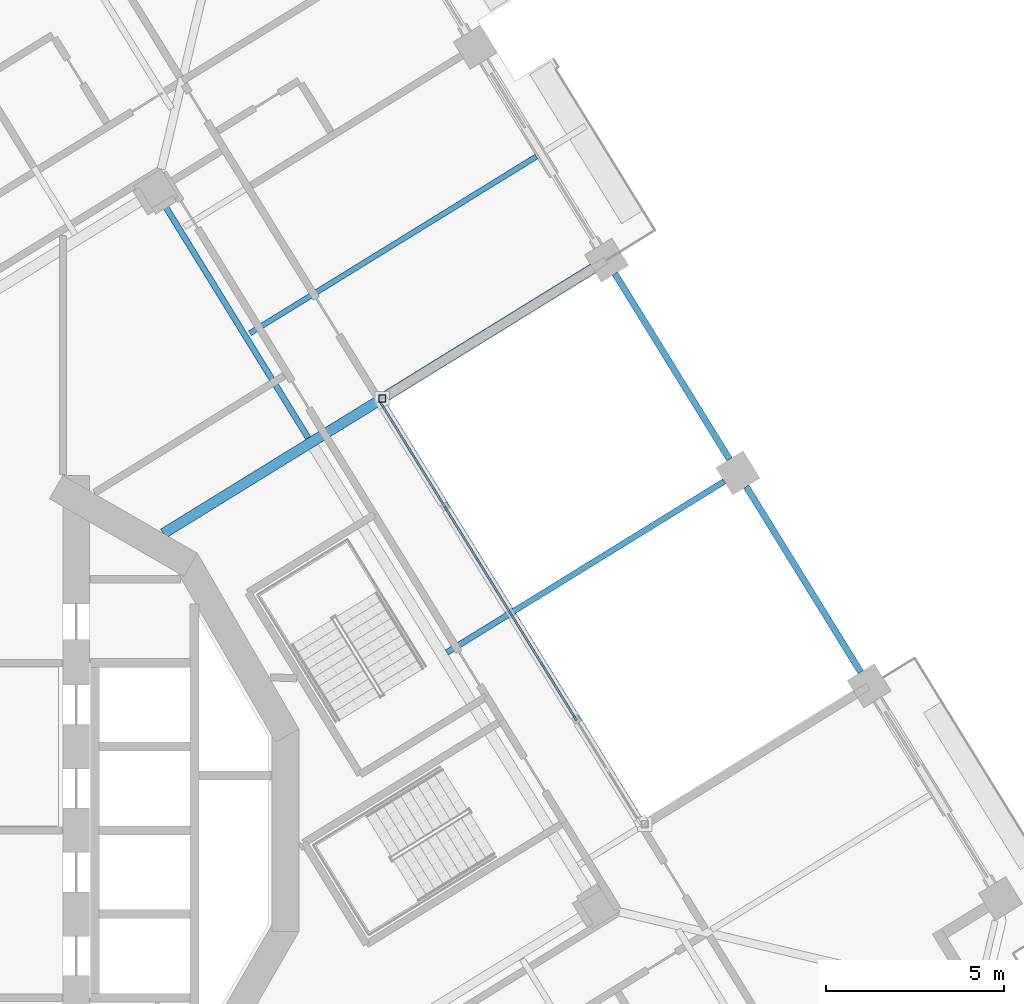
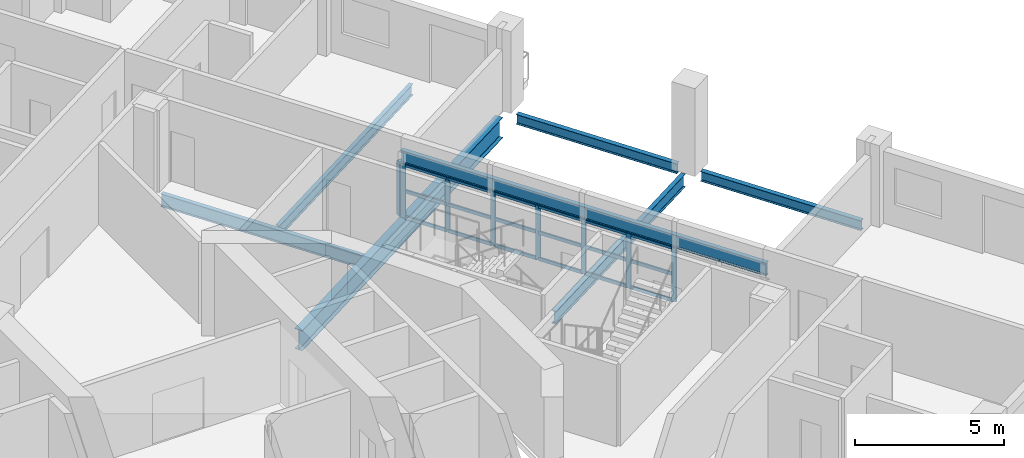
# One storey, part 4 of 21: 26 members, 7 beams, 1 element without a shape of its own.
"""IFC4 building model written with IfcOpenShell, lengths in metres."""

from ifc_helpers import new_model, si_unit, direction, frame, origin, origin_2d, place, context, subcontext, project, spatial, rectangle, hollow_rectangle, i_section, extrude, material, material_profile, profile_set, type_object, element, aggregate, save


model = new_model("IFC4")

# Units and contexts
model_context = context("Model", 3, precision=1e-05, world=origin(), true_north=direction((0.0, 1.0)))
body_context = subcontext(model_context, "Body", "Model", "MODEL_VIEW")
ifc_project = project(units=[si_unit("LENGTHUNIT", "METRE"), si_unit("AREAUNIT", "SQUARE_METRE"), si_unit("VOLUMEUNIT", "CUBIC_METRE"), si_unit("PLANEANGLEUNIT", "RADIAN"), si_unit("MASSUNIT", "GRAM", prefix="KILO")], contexts=[model_context])

# Site, building, storey
site_placement = place(None, origin())
site = spatial("IfcSite", under=ifc_project, at=site_placement, CompositionType="ELEMENT")
building_placement = place(site_placement, origin())
building = spatial("IfcBuilding", under=site, at=building_placement, Name="Cantera Rosa Tower", CompositionType="ELEMENT")
storey_placement = place(building_placement, frame((0.0, 0.0, 185.60009765625)))
storey = spatial("IfcBuildingStorey", under=building, at=storey_placement, Name="L41", CompositionType="ELEMENT", Elevation=185.60009765625)

# Curtain wall, members
ifc_material_1 = material(Name="Aluminium frame with clear glass", Category="aluminium")
curtain_wall_type = type_object("IfcCurtainWallType", Name="CW1 TERRACE POCKET GLAZING", PredefinedType="NOTDEFINED", material=ifc_material_1)
curtain_wall_placement = place(storey_placement, origin())
curtain_wall = element("IfcCurtainWall", 1, at=curtain_wall_placement, inside=storey, type_object=curtain_wall_type, Name="CW1 CW1", PredefinedType="NOTDEFINED")
ifc_material_2 = material(Name="Anodised bronze aluminium", Category="aluminium")
ifc_material_profile_1 = material_profile(ifc_material_2, rectangle(XDim=0.06005859375, YDim=0.179931640625, at=origin_2d()), Name="CW-MULLION 60x180 POCKET")
ifc_profile_set_1 = profile_set([ifc_material_profile_1], Name="Anodised bronze aluminium")
member_type_1 = type_object("IfcMemberType", Name="CW-MULLION 60x180 POCKET", PredefinedType="MULLION", material=ifc_profile_set_1)
member_1_placement = place(storey_placement, frame((18.376953125, 3.160400390625, 0.0), z_axis=(0.0, 0.0, 1.0), x_axis=(-0.851116672434, -0.52497658034, 0.0)))
member_1 = element("IfcMember", 2, at=member_1_placement, type_object=member_type_1, Name="CW1 mullion 3", PredefinedType="MULLION", context=body_context, shape_type="SweptSolid", body=[
    extrude(rectangle(XDim=0.06005859375, YDim=0.179931640625, at=origin_2d()), origin(), (0.0, 0.0, 1.0), 2.2119140625),
])
member_2_placement = place(storey_placement, frame((17.471923828125, 4.62744140625, 0.0), z_axis=(0.0, 0.0, 1.0), x_axis=(-0.851116672434, -0.52497658034, 0.0)))
member_2 = element("IfcMember", 3, at=member_2_placement, type_object=member_type_1, Name="CW1 mullion 4", PredefinedType="MULLION", context=body_context, shape_type="SweptSolid", body=[
    extrude(rectangle(XDim=0.06005859375, YDim=0.179931640625, at=origin_2d()), origin(), (0.0, 0.0, 1.0), 2.2119140625),
])
member_3_placement = place(storey_placement, frame((16.56689453125, 6.0947265625, 0.0), z_axis=(0.0, 0.0, 1.0), x_axis=(-0.851116672434, -0.52497658034, 0.0)))
member_3 = element("IfcMember", 4, at=member_3_placement, type_object=member_type_1, Name="CW1 mullion 5", PredefinedType="MULLION", context=body_context, shape_type="SweptSolid", body=[
    extrude(rectangle(XDim=0.06005859375, YDim=0.179931640625, at=origin_2d()), origin(), (0.0, 0.0, 1.0), 2.2119140625),
])
member_4_placement = place(storey_placement, frame((15.662109375, 7.561767578125, 0.0), z_axis=(0.0, 0.0, 1.0), x_axis=(-0.851116672434, -0.52497658034, 0.0)))
member_4 = element("IfcMember", 5, at=member_4_placement, type_object=member_type_1, Name="CW1 mullion 6", PredefinedType="MULLION", context=body_context, shape_type="SweptSolid", body=[
    extrude(rectangle(XDim=0.06005859375, YDim=0.179931640625, at=origin_2d()), origin(), (0.0, 0.0, 1.0), 2.2119140625),
])
member_5_placement = place(storey_placement, frame((14.757080078125, 9.02880859375, 0.0), z_axis=(0.0, 0.0, 1.0), x_axis=(-0.851116672434, -0.52497658034, 0.0)))
member_5 = element("IfcMember", 6, at=member_5_placement, type_object=member_type_1, Name="CW1 mullion 7", PredefinedType="MULLION", context=body_context, shape_type="SweptSolid", body=[
    extrude(rectangle(XDim=0.06005859375, YDim=0.179931640625, at=origin_2d()), origin(), (0.0, 0.0, 1.0), 2.2119140625),
])
member_6_placement = place(storey_placement, frame((13.852294921875, 10.49609375, 0.0), z_axis=(0.0, 0.0, 1.0), x_axis=(-0.851116672434, -0.52497658034, 0.0)))
member_6 = element("IfcMember", 7, at=member_6_placement, type_object=member_type_1, Name="CW1 mullion 8", PredefinedType="MULLION", context=body_context, shape_type="SweptSolid", body=[
    extrude(rectangle(XDim=0.06005859375, YDim=0.179931640625, at=origin_2d()), origin(), (0.0, 0.0, 1.0), 2.2119140625),
])
member_7_placement = place(storey_placement, frame((12.963134765625, 11.9375, 0.0), z_axis=(0.0, 0.0, 1.0), x_axis=(-0.851116672434, -0.52497658034, 0.0)))
member_7 = element("IfcMember", 8, at=member_7_placement, type_object=member_type_1, Name="CW1 mullion 9", PredefinedType="MULLION", context=body_context, shape_type="SweptSolid", body=[
    extrude(rectangle(XDim=0.06005859375, YDim=0.179931640625, at=origin_2d()), origin(), (0.0, 0.0, 1.0), 2.2119140625),
])
ifc_material_3 = material(Name="Anodised bronze aluminium", Category="aluminium")
ifc_material_profile_2 = material_profile(ifc_material_3, rectangle(XDim=0.06005859375, YDim=0.139892578125, at=origin_2d()), Name="CW-TRANSOM 60x140 POCKET")
ifc_profile_set_2 = profile_set([ifc_material_profile_2], Name="Anodised bronze aluminium")
member_type_2 = type_object("IfcMemberType", Name="CW-TRANSOM 60x140 POCKET", PredefinedType="USERDEFINED", material=ifc_profile_set_2)
member_8_placement = place(storey_placement, frame((18.361083984375, 3.18603515625, 0.02978515625), z_axis=(-0.525030443539, 0.851083446765, 0.0), x_axis=(-0.851083446765, -0.525030443539, 0.0)))
member_8 = element("IfcMember", 9, at=member_8_placement, type_object=member_type_2, Name="CW1 transom 3.1", ObjectType="TRANSOM", PredefinedType="USERDEFINED", context=body_context, shape_type="SweptSolid", body=[
    extrude(rectangle(XDim=0.06005859375, YDim=0.139892578125, at=origin_2d()), origin(), (0.0, 0.0, 1.0), 1.663818359375),
])
member_9_placement = place(storey_placement, frame((18.361083984375, 3.18603515625, 1.10595703125), z_axis=(-0.525030443539, 0.851083446765, 0.0), x_axis=(-0.851083446765, -0.525030443539, 0.0)))
member_9 = element("IfcMember", 10, at=member_9_placement, type_object=member_type_2, Name="CW1 transom 3.2", ObjectType="TRANSOM", PredefinedType="USERDEFINED", context=body_context, shape_type="SweptSolid", body=[
    extrude(rectangle(XDim=0.06005859375, YDim=0.139892578125, at=origin_2d()), origin(), (0.0, 0.0, 1.0), 1.663818359375),
])
member_10_placement = place(storey_placement, frame((18.361083984375, 3.18603515625, 2.181884765625), z_axis=(-0.525030443539, 0.851083446765, 0.0), x_axis=(-0.851083446765, -0.525030443539, 0.0)))
member_10 = element("IfcMember", 11, at=member_10_placement, type_object=member_type_2, Name="CW1 transom 3.3", ObjectType="TRANSOM", PredefinedType="USERDEFINED", context=body_context, shape_type="SweptSolid", body=[
    extrude(rectangle(XDim=0.06005859375, YDim=0.139892578125, at=origin_2d()), origin(), (0.0, 0.0, 1.0), 1.663818359375),
])
member_11_placement = place(storey_placement, frame((17.4560546875, 4.653076171875, 0.02978515625), z_axis=(-0.524924142227, 0.851149014514, 0.0), x_axis=(-0.851149014514, -0.524924142227, 0.0)))
member_11 = element("IfcMember", 12, at=member_11_placement, type_object=member_type_2, Name="CW1 transom 4.1", ObjectType="TRANSOM", PredefinedType="USERDEFINED", context=body_context, shape_type="SweptSolid", body=[
    extrude(rectangle(XDim=0.06005859375, YDim=0.139892578125, at=origin_2d()), origin(), (0.0, 0.0, 1.0), 1.66357421875),
])
member_12_placement = place(storey_placement, frame((17.4560546875, 4.653076171875, 1.10595703125), z_axis=(-0.524924142227, 0.851149014514, 0.0), x_axis=(-0.851149014514, -0.524924142227, 0.0)))
member_12 = element("IfcMember", 13, at=member_12_placement, type_object=member_type_2, Name="CW1 transom 4.2", ObjectType="TRANSOM", PredefinedType="USERDEFINED", context=body_context, shape_type="SweptSolid", body=[
    extrude(rectangle(XDim=0.06005859375, YDim=0.139892578125, at=origin_2d()), origin(), (0.0, 0.0, 1.0), 1.66357421875),
])
member_13_placement = place(storey_placement, frame((17.4560546875, 4.653076171875, 2.181884765625), z_axis=(-0.524924142227, 0.851149014514, 0.0), x_axis=(-0.851149014514, -0.524924142227, 0.0)))
member_13 = element("IfcMember", 14, at=member_13_placement, type_object=member_type_2, Name="CW1 transom 4.3", ObjectType="TRANSOM", PredefinedType="USERDEFINED", context=body_context, shape_type="SweptSolid", body=[
    extrude(rectangle(XDim=0.06005859375, YDim=0.139892578125, at=origin_2d()), origin(), (0.0, 0.0, 1.0), 1.66357421875),
])
member_14_placement = place(storey_placement, frame((16.55126953125, 6.1201171875, 0.02978515625), z_axis=(-0.525030443539, 0.851083446765, 0.0), x_axis=(-0.851083446765, -0.525030443539, 0.0)))
member_14 = element("IfcMember", 15, at=member_14_placement, type_object=member_type_2, Name="CW1 transom 5.1", ObjectType="TRANSOM", PredefinedType="USERDEFINED", context=body_context, shape_type="SweptSolid", body=[
    extrude(rectangle(XDim=0.06005859375, YDim=0.139892578125, at=origin_2d()), origin(), (0.0, 0.0, 1.0), 1.663818359375),
])
member_15_placement = place(storey_placement, frame((16.55126953125, 6.1201171875, 1.10595703125), z_axis=(-0.525030443539, 0.851083446765, 0.0), x_axis=(-0.851083446765, -0.525030443539, 0.0)))
member_15 = element("IfcMember", 16, at=member_15_placement, type_object=member_type_2, Name="CW1 transom 5.2", ObjectType="TRANSOM", PredefinedType="USERDEFINED", context=body_context, shape_type="SweptSolid", body=[
    extrude(rectangle(XDim=0.06005859375, YDim=0.139892578125, at=origin_2d()), origin(), (0.0, 0.0, 1.0), 1.663818359375),
])
member_16_placement = place(storey_placement, frame((16.55126953125, 6.1201171875, 2.181884765625), z_axis=(-0.525030443539, 0.851083446765, 0.0), x_axis=(-0.851083446765, -0.525030443539, 0.0)))
member_16 = element("IfcMember", 17, at=member_16_placement, type_object=member_type_2, Name="CW1 transom 5.3", ObjectType="TRANSOM", PredefinedType="USERDEFINED", context=body_context, shape_type="SweptSolid", body=[
    extrude(rectangle(XDim=0.06005859375, YDim=0.139892578125, at=origin_2d()), origin(), (0.0, 0.0, 1.0), 1.663818359375),
])
member_17_placement = place(storey_placement, frame((15.646240234375, 7.58740234375, 0.02978515625), z_axis=(-0.524924142227, 0.851149014514, 0.0), x_axis=(-0.851149014514, -0.524924142227, 0.0)))
member_17 = element("IfcMember", 18, at=member_17_placement, type_object=member_type_2, Name="CW1 transom 6.1", ObjectType="TRANSOM", PredefinedType="USERDEFINED", context=body_context, shape_type="SweptSolid", body=[
    extrude(rectangle(XDim=0.06005859375, YDim=0.139892578125, at=origin_2d()), origin(), (0.0, 0.0, 1.0), 1.66357421875),
])
member_18_placement = place(storey_placement, frame((15.646240234375, 7.58740234375, 1.10595703125), z_axis=(-0.524924142227, 0.851149014514, 0.0), x_axis=(-0.851149014514, -0.524924142227, 0.0)))
member_18 = element("IfcMember", 19, at=member_18_placement, type_object=member_type_2, Name="CW1 transom 6.2", ObjectType="TRANSOM", PredefinedType="USERDEFINED", context=body_context, shape_type="SweptSolid", body=[
    extrude(rectangle(XDim=0.06005859375, YDim=0.139892578125, at=origin_2d()), origin(), (0.0, 0.0, 1.0), 1.66357421875),
])
member_19_placement = place(storey_placement, frame((15.646240234375, 7.58740234375, 2.181884765625), z_axis=(-0.524924142227, 0.851149014514, 0.0), x_axis=(-0.851149014514, -0.524924142227, 0.0)))
member_19 = element("IfcMember", 20, at=member_19_placement, type_object=member_type_2, Name="CW1 transom 6.3", ObjectType="TRANSOM", PredefinedType="USERDEFINED", context=body_context, shape_type="SweptSolid", body=[
    extrude(rectangle(XDim=0.06005859375, YDim=0.139892578125, at=origin_2d()), origin(), (0.0, 0.0, 1.0), 1.66357421875),
])
member_20_placement = place(storey_placement, frame((14.741455078125, 9.054443359375, 0.02978515625), z_axis=(-0.525030443539, 0.851083446765, 0.0), x_axis=(-0.851083446765, -0.525030443539, 0.0)))
member_20 = element("IfcMember", 21, at=member_20_placement, type_object=member_type_2, Name="CW1 transom 7.1", ObjectType="TRANSOM", PredefinedType="USERDEFINED", context=body_context, shape_type="SweptSolid", body=[
    extrude(rectangle(XDim=0.06005859375, YDim=0.139892578125, at=origin_2d()), origin(), (0.0, 0.0, 1.0), 1.663818359375),
])
member_21_placement = place(storey_placement, frame((14.741455078125, 9.054443359375, 1.10595703125), z_axis=(-0.525030443539, 0.851083446765, 0.0), x_axis=(-0.851083446765, -0.525030443539, 0.0)))
member_21 = element("IfcMember", 22, at=member_21_placement, type_object=member_type_2, Name="CW1 transom 7.2", ObjectType="TRANSOM", PredefinedType="USERDEFINED", context=body_context, shape_type="SweptSolid", body=[
    extrude(rectangle(XDim=0.06005859375, YDim=0.139892578125, at=origin_2d()), origin(), (0.0, 0.0, 1.0), 1.663818359375),
])
member_22_placement = place(storey_placement, frame((14.741455078125, 9.054443359375, 2.181884765625), z_axis=(-0.525030443539, 0.851083446765, 0.0), x_axis=(-0.851083446765, -0.525030443539, 0.0)))
member_22 = element("IfcMember", 23, at=member_22_placement, type_object=member_type_2, Name="CW1 transom 7.3", ObjectType="TRANSOM", PredefinedType="USERDEFINED", context=body_context, shape_type="SweptSolid", body=[
    extrude(rectangle(XDim=0.06005859375, YDim=0.139892578125, at=origin_2d()), origin(), (0.0, 0.0, 1.0), 1.663818359375),
])
member_23_placement = place(storey_placement, frame((13.83642578125, 10.521484375, 0.02978515625), z_axis=(-0.524939222981, 0.851139713664, 0.0), x_axis=(-0.851139713664, -0.524939222981, 0.0)))
member_23 = element("IfcMember", 24, at=member_23_placement, type_object=member_type_2, Name="CW1 transom 8.1", ObjectType="TRANSOM", PredefinedType="USERDEFINED", context=body_context, shape_type="SweptSolid", body=[
    extrude(rectangle(XDim=0.06005859375, YDim=0.139892578125, at=origin_2d()), origin(), (0.0, 0.0, 1.0), 1.6337890625),
])
member_24_placement = place(storey_placement, frame((13.83642578125, 10.521484375, 1.10595703125), z_axis=(-0.524939222981, 0.851139713664, 0.0), x_axis=(-0.851139713664, -0.524939222981, 0.0)))
member_24 = element("IfcMember", 25, at=member_24_placement, type_object=member_type_2, Name="CW1 transom 8.2", ObjectType="TRANSOM", PredefinedType="USERDEFINED", context=body_context, shape_type="SweptSolid", body=[
    extrude(rectangle(XDim=0.06005859375, YDim=0.139892578125, at=origin_2d()), origin(), (0.0, 0.0, 1.0), 1.6337890625),
])
member_25_placement = place(storey_placement, frame((13.83642578125, 10.521484375, 2.181884765625), z_axis=(-0.524939222981, 0.851139713664, 0.0), x_axis=(-0.851139713664, -0.524939222981, 0.0)))
member_25 = element("IfcMember", 26, at=member_25_placement, type_object=member_type_2, Name="CW1 transom 8.3", ObjectType="TRANSOM", PredefinedType="USERDEFINED", context=body_context, shape_type="SweptSolid", body=[
    extrude(rectangle(XDim=0.06005859375, YDim=0.139892578125, at=origin_2d()), origin(), (0.0, 0.0, 1.0), 1.6337890625),
])
aggregate(curtain_wall, [member_1, member_2, member_3, member_4, member_5, member_6, member_7, member_8, member_9, member_10, member_11, member_12, member_13, member_14, member_15, member_16, member_17, member_18, member_19, member_20, member_21, member_22, member_23, member_24, member_25])

# Member
ifc_material_4 = material(Name="Steel ASTM A992 (Fy 345 MPa)", Category="steel")
ifc_material_profile_3 = material_profile(ifc_material_4, hollow_rectangle(XDim=0.199951171875, YDim=0.199951171875, WallThickness=0.010009765625, at=origin_2d()), Name="LINTEL POST RHS 200x200x10")
ifc_profile_set_3 = profile_set([ifc_material_profile_3], Name="Steel ASTM A992 (Fy 345 MPa)")
member_type_3 = type_object("IfcMemberType", Name="LINTEL POST RHS 200x200x10", PredefinedType="USERDEFINED", material=ifc_profile_set_3)
member_26_placement = place(storey_placement, frame((12.966796875, 12.1220703125, 0.0), z_axis=(0.0, 0.0, 1.0), x_axis=(1.0, 0.0, 0.0)))
element("IfcMember", 27, at=member_26_placement, inside=storey, type_object=member_type_3, Name="LINTEL POST L41-2", ObjectType="LINTEL POST", PredefinedType="USERDEFINED", context=body_context, shape_type="SweptSolid", body=[
    extrude(hollow_rectangle(XDim=0.199951171875, YDim=0.199951171875, WallThickness=0.010009765625, at=origin_2d()), origin(), (0.0, 0.0, 1.0), 2.2138671875),
])

# Beams
ifc_material_5 = material(Name="Steel ASTM A992 (Fy 345 MPa)", Category="steel")
ifc_material_profile_4 = material_profile(ifc_material_5, i_section(OverallWidth=0.166015625, OverallDepth=0.528076171875, WebThickness=0.009765625, FlangeThickness=0.013671875, FilletRadius=0.0126953125, at=origin_2d()), Name="W530X74")
ifc_profile_set_4 = profile_set([ifc_material_profile_4], Name="Steel ASTM A992 (Fy 345 MPa)")
beam_type_1 = type_object("IfcBeamType", Name="STEEL BEAM W530X74", PredefinedType="BEAM", material=ifc_profile_set_4)
beam_1_placement = place(storey_placement, frame((22.5673828125, 9.795654296875, -0.51416015625), z_axis=(-0.851123779764, -0.524965057427, 0.0), x_axis=(0.524965057427, -0.851123779764, 0.0)))
element("IfcBeam", 28, at=beam_1_placement, inside=storey, type_object=beam_type_1, Name="G-Z3-02 L41", PredefinedType="BEAM", context=body_context, shape_type="SweptSolid", body=[
    extrude(i_section(OverallWidth=0.166015625, OverallDepth=0.528076171875, WebThickness=0.009765625, FlangeThickness=0.013671875, FilletRadius=0.0126953125, at=origin_2d()), origin(), (0.0, 0.0, 1.0), 9.150146484375),
])
beam_2_placement = place(storey_placement, frame((10.887939453125, 11.015869140625, -0.51416015625), z_axis=(-0.52497571981, 0.851117203216, 0.0), x_axis=(-0.851117203216, -0.52497571981, 0.0)))
element("IfcBeam", 29, at=beam_2_placement, inside=storey, type_object=beam_type_1, Name="RB-Z3-06 L41", PredefinedType="BEAM", context=body_context, shape_type="SweptSolid", body=[
    extrude(i_section(OverallWidth=0.166015625, OverallDepth=0.528076171875, WebThickness=0.009765625, FlangeThickness=0.013671875, FilletRadius=0.0126953125, at=origin_2d()), origin(), (0.0, 0.0, 1.0), 7.690185546875),
])
beam_3_placement = place(storey_placement, frame((20.2685546875, 0.188720703125, 2.477783203125), z_axis=(-0.524975617117, 0.851117266557, 0.0), x_axis=(-0.851117266557, -0.524975617117, 0.0)))
element("IfcBeam", 30, at=beam_3_placement, inside=storey, type_object=beam_type_1, Name="LINTEL SL-L41", PredefinedType="BEAM", context=body_context, shape_type="SweptSolid", body=[
    extrude(i_section(OverallWidth=0.166015625, OverallDepth=0.528076171875, WebThickness=0.009765625, FlangeThickness=0.013671875, FilletRadius=0.0126953125, at=origin_2d()), origin(), (0.0, 0.0, 1.0), 13.93994140625),
])
ifc_material_6 = material(Name="Steel ASTM A992 (Fy 345 MPa)", Category="steel")
ifc_material_profile_5 = material_profile(ifc_material_6, i_section(OverallWidth=0.2919921875, OverallDepth=0.8359375, WebThickness=0.013916015625, FlangeThickness=0.018798828125, FilletRadius=0.017822265625, at=origin_2d()), Name="W840X176")
ifc_profile_set_5 = profile_set([ifc_material_profile_5], Name="Steel ASTM A992 (Fy 345 MPa)")
beam_type_2 = type_object("IfcBeamType", Name="STEEL BEAM W840X176", PredefinedType="BEAM", material=ifc_profile_set_5)
beam_4_placement = place(storey_placement, frame((18.882080078125, 15.7705078125, -0.668212890625), z_axis=(-0.8511231456, -0.524966085595, 0.0), x_axis=(0.524966085595, -0.8511231456, 0.0)))
element("IfcBeam", 31, at=beam_4_placement, inside=storey, type_object=beam_type_2, Name="G-Z3-03 L41", PredefinedType="BEAM", context=body_context, shape_type="SweptSolid", body=[
    extrude(i_section(OverallWidth=0.2919921875, OverallDepth=0.8359375, WebThickness=0.013916015625, FlangeThickness=0.018798828125, FilletRadius=0.017822265625, at=origin_2d()), origin(), (0.0, 0.0, 1.0), 14.17138671875),
])
ifc_material_7 = material(Name="Steel ASTM A992 (Fy 345 MPa)", Category="steel")
ifc_material_profile_6 = material_profile(ifc_material_7, i_section(OverallWidth=0.154052734375, OverallDepth=0.4599609375, WebThickness=0.009033203125, FlangeThickness=0.015380859375, FilletRadius=0.01025390625, at=origin_2d()), Name="W460X68")
ifc_profile_set_6 = profile_set([ifc_material_profile_6], Name="Steel ASTM A992 (Fy 345 MPa)")
beam_type_3 = type_object("IfcBeamType", Name="STEEL JOIST W460X68", PredefinedType="JOIST", material=ifc_profile_set_6)
beam_5_placement = place(storey_placement, frame((17.294677734375, 18.91552734375, -0.47998046875), z_axis=(-0.851118539758, -0.524973552935, 0.0), x_axis=(0.524973552935, -0.851118539758, 0.0)))
element("IfcBeam", 32, at=beam_5_placement, inside=storey, type_object=beam_type_3, Name="B-Z3-04 L41", PredefinedType="JOIST", context=body_context, shape_type="SweptSolid", body=[
    extrude(i_section(OverallWidth=0.154052734375, OverallDepth=0.4599609375, WebThickness=0.009033203125, FlangeThickness=0.015380859375, FilletRadius=0.01025390625, at=origin_2d()), origin(), (0.0, 0.0, 1.0), 9.449951171875),
])
ifc_material_8 = material(Name="Steel ASTM A992 (Fy 345 MPa)", Category="steel")
ifc_material_profile_7 = material_profile(ifc_material_8, i_section(OverallWidth=0.177978515625, OverallDepth=0.406005859375, WebThickness=0.0078125, FlangeThickness=0.0126953125, FilletRadius=0.01025390625, at=origin_2d()), Name="W410X60")
ifc_profile_set_7 = profile_set([ifc_material_profile_7], Name="Steel ASTM A992 (Fy 345 MPa)")
beam_type_4 = type_object("IfcBeamType", Name="STEEL SPANDREL BEAM W410X60", PredefinedType="SPANDREL", material=ifc_profile_set_7)
for number, where, z_axis, x_axis, name in (
    (33, (26.3994140625, 4.440185546875, -0.453125), (-0.524987447654, 0.851109969279, 0.0), (-0.851109969279, -0.524987447654, 0.0), "EB-Z3-02 L41"),
    (34, (22.714111328125, 10.4150390625, -0.453125), (-0.524987447654, 0.851109969279, 0.0), (-0.851109969279, -0.524987447654, 0.0), "EB-Z3-03 L41"),
):
    element("IfcBeam", number, at=place(storey_placement, frame(where, z_axis=z_axis, x_axis=x_axis)), inside=storey, type_object=beam_type_4, Name=name, PredefinedType="SPANDREL", context=body_context, shape_type="SweptSolid", body=[
        extrude(i_section(OverallWidth=0.177978515625, OverallDepth=0.406005859375, WebThickness=0.0078125, FlangeThickness=0.0126953125, FilletRadius=0.01025390625, at=origin_2d()), origin(), (0.0, 0.0, 1.0), 6.119873046875),
    ])

save(model, "model.ifc")
